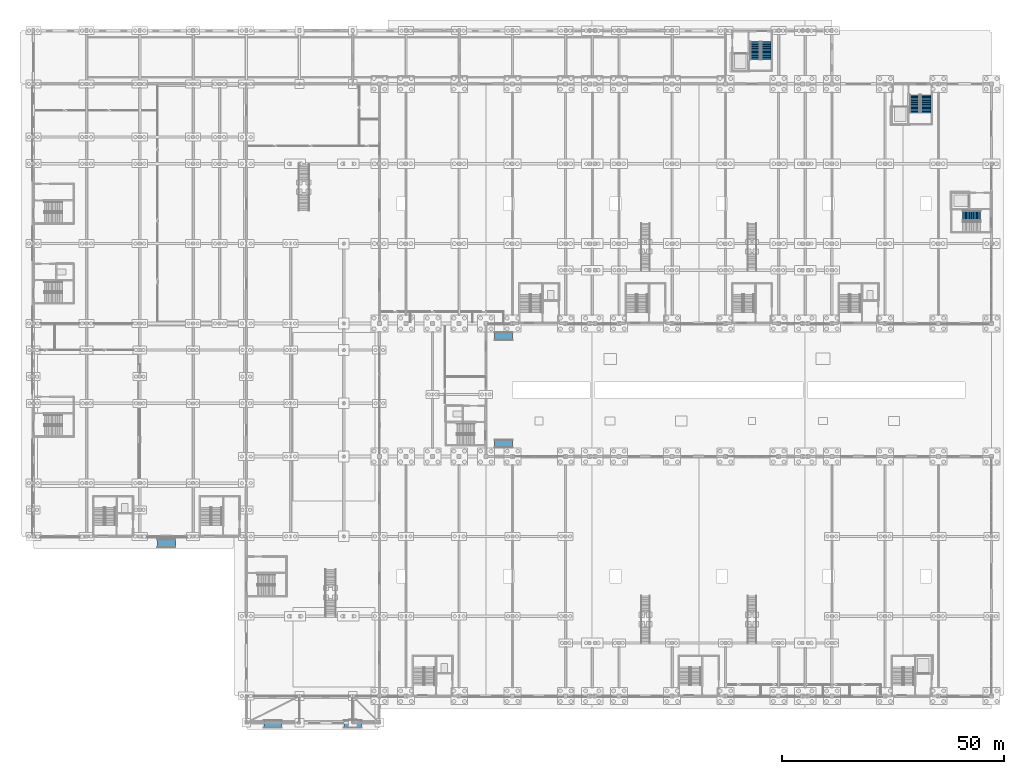
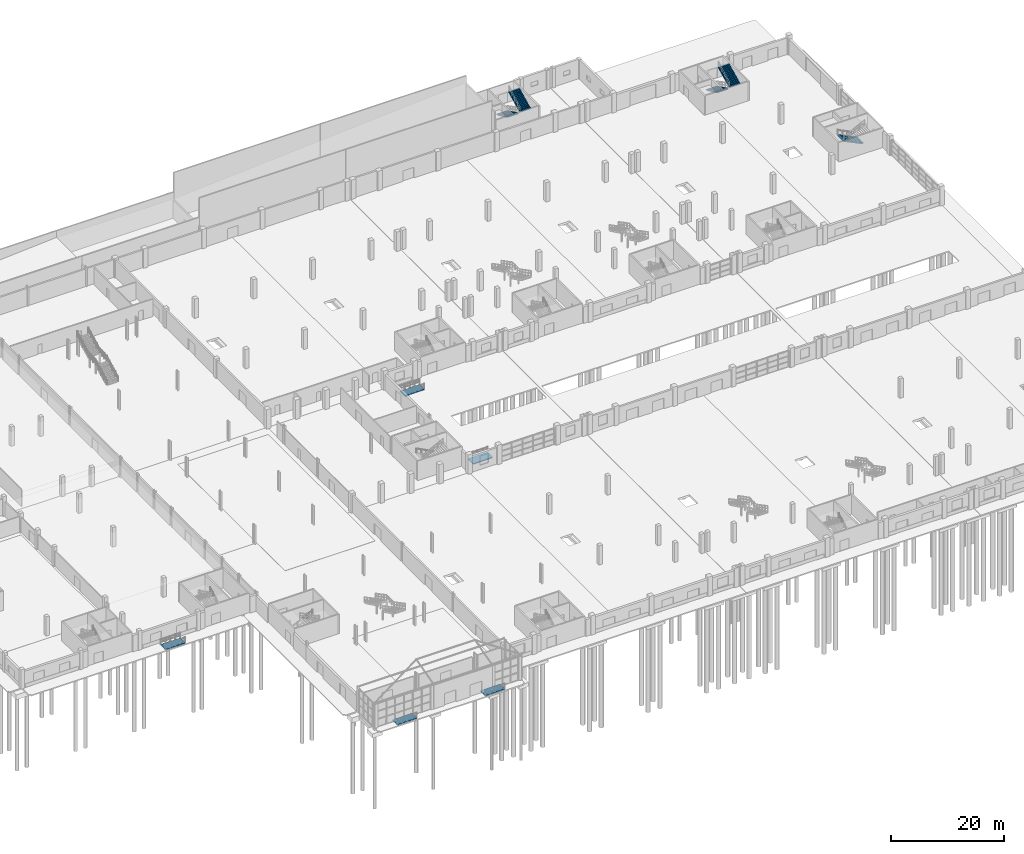
# One storey, part 69 of 77: 5 ramp flights, 5 stair flights, 8 elements without a shape of their own.
"""IFC4 building model written with IfcOpenShell, lengths in metres."""

import ifcopenshell
import ifcopenshell.guid

model = None  # the IFC model being written
_history = None  # IfcOwnerHistory: only IFC2X3 demands one
_inside = {}  # id of a spatial element -> (the spatial element, [elements in it])
_under = {}  # id of a project, library or spatial element -> (it, [spatial elements below it])
_declared = {}  # id of a project -> (the project, [libraries it declares])
_typed = {}  # id of a type object -> (the type object, [elements of that type])
_made_of = {}  # id of a material, layer set ... -> (it, [elements and type objects made of it])


def new_model(schema):
    """Start an empty IFC model of exactly this schema.

    Asked for "IFC4X3", IfcOpenShell would pick the latest addendum, in which some entities
    have other attributes; the version numbers below select the first issue.
    IFC2X3 requires an IfcOwnerHistory on every rooted entity: one is made here for all.
    """
    global model, _history
    if schema == "IFC4X3":
        model = ifcopenshell.file(schema_version=(4, 3, 0, 0))
    else:
        model = ifcopenshell.file(schema=schema)
    _inside.clear()
    _under.clear()
    _declared.clear()
    _typed.clear()
    _made_of.clear()
    _history = None
    if model.schema == "IFC2X3":
        org = make("IfcOrganization", Name="unknown")
        user = make(
            "IfcPersonAndOrganization",
            ThePerson=make("IfcPerson", FamilyName="unknown"),
            TheOrganization=org,
        )
        app = make(
            "IfcApplication",
            ApplicationDeveloper=org,
            Version="unknown",
            ApplicationFullName="unknown",
            ApplicationIdentifier="unknown",
        )
        _history = make(
            "IfcOwnerHistory",
            OwningUser=user,
            OwningApplication=app,
            ChangeAction="ADDED",
            CreationDate=0,
        )
    return model


def make(cls, **values):
    """One entity of the class cls with the attributes given. An attribute that is None is left unset."""
    return model.create_entity(
        cls, **{name: value for name, value in values.items() if value is not None}
    )


def rooted(cls, **values):
    """An entity with a GlobalId (a new one), such as an element, a storey or a relation."""
    return make(cls, GlobalId=ifcopenshell.guid.new(), OwnerHistory=_history, **values)


def si_unit(unit_type, name, prefix=None):
    """IfcSIUnit, for example si_unit("LENGTHUNIT", "METRE", prefix="MILLI")."""
    return make("IfcSIUnit", UnitType=unit_type, Prefix=prefix, Name=name)


def assignment(units):
    """IfcUnitAssignment: the units of a project."""
    return None if units is None else make("IfcUnitAssignment", Units=units)


def point(xyz):
    """IfcCartesianPoint."""
    return None if xyz is None else make("IfcCartesianPoint", Coordinates=xyz)


def direction(xyz):
    """IfcDirection."""
    return None if xyz is None else make("IfcDirection", DirectionRatios=xyz)


def frame(location, z_axis=None, x_axis=None):
    """IfcAxis2Placement3D, a coordinate frame: its origin and axes. An axis left out is left unset."""
    return make(
        "IfcAxis2Placement3D",
        Location=point(location),
        Axis=direction(z_axis),
        RefDirection=direction(x_axis),
    )


def origin():
    """The frame at (0, 0, 0) with its axes left unset."""
    return frame((0.0, 0.0, 0.0))


def place(relative_to, where):
    """IfcLocalPlacement: puts the frame where relative to a parent placement (None: the world)."""
    return make(
        "IfcLocalPlacement", PlacementRelTo=relative_to, RelativePlacement=where
    )


def context(
    kind, dimensions, precision=None, world=None, true_north=None, identifier=None
):
    """IfcGeometricRepresentationContext, for example the 3D "Model" context."""
    return make(
        "IfcGeometricRepresentationContext",
        ContextIdentifier=identifier,
        ContextType=kind,
        CoordinateSpaceDimension=dimensions,
        Precision=precision,
        WorldCoordinateSystem=world,
        TrueNorth=true_north,
    )


def subcontext(parent, identifier, kind, view, scale=None):
    """IfcGeometricRepresentationSubContext, for example "Body" below "Model"."""
    return make(
        "IfcGeometricRepresentationSubContext",
        ContextIdentifier=identifier,
        ContextType=kind,
        ParentContext=parent,
        TargetScale=scale,
        TargetView=view,
    )


def project(units=None, contexts=None):
    """IfcProject with its units and contexts."""
    return rooted(
        "IfcProject",
        Name="project",
        RepresentationContexts=contexts,
        UnitsInContext=assignment(units),
    )


def spatial(cls, under=None, at=None, **own):
    """A site, building, storey or space (cls), placed at a placement, below another one or the project."""
    s = rooted(cls, ObjectPlacement=at, **own)
    if under is not None:
        _under.setdefault(under.id(), (under, []))[1].append(s)
    return s


def polyline(points):
    """IfcPolyline through the points."""
    return make("IfcPolyline", Points=[point(p) for p in points])


def outline(outer, holes=None, kind="AREA"):
    """IfcArbitraryClosedProfileDef: a profile drawn as a closed curve; with holes, ...WithVoids."""
    if holes is None:
        return make("IfcArbitraryClosedProfileDef", ProfileType=kind, OuterCurve=outer)
    return make(
        "IfcArbitraryProfileDefWithVoids",
        ProfileType=kind,
        OuterCurve=outer,
        InnerCurves=holes,
    )


def extrude(swept, where, along, depth):
    """IfcExtrudedAreaSolid: the profile swept, set in the frame where, extruded along a direction by depth."""
    return make(
        "IfcExtrudedAreaSolid",
        SweptArea=swept,
        Position=where,
        ExtrudedDirection=direction(along),
        Depth=depth,
    )


def shape(context_of_items, identifier, shape_type, items):
    """IfcShapeRepresentation: the items that make up one representation, for example the "Body"."""
    return make(
        "IfcShapeRepresentation",
        ContextOfItems=context_of_items,
        RepresentationIdentifier=identifier,
        RepresentationType=shape_type,
        Items=items,
    )


def material(Name=None, Category=None):
    """IfcMaterial."""
    return make("IfcMaterial", Name=Name, Category=Category)


def layer(
    of_material, thickness, ventilated=None, Name=None, Category=None, Priority=None
):
    """IfcMaterialLayer: one layer of a wall or slab, of a material (None: an air gap)."""
    return make(
        "IfcMaterialLayer",
        Material=of_material,
        LayerThickness=thickness,
        IsVentilated=ventilated,
        Name=Name,
        Category=Category,
        Priority=Priority,
    )


def layer_set(layers, Name=None):
    """IfcMaterialLayerSet."""
    return make("IfcMaterialLayerSet", MaterialLayers=layers, LayerSetName=Name)


def made_of(thing, what):
    """Note that an element or type object is made of a material, layer set ...; save() writes the relation."""
    if what is not None:
        _made_of.setdefault(what.id(), (what, []))[1].append(thing)
    return thing


def type_object(cls, material=None, **own):
    """A type object (cls), such as IfcWallType, which elements share."""
    return made_of(rooted(cls, **own), material)


def element(
    cls,
    number,
    at=None,
    inside=None,
    cuts=None,
    type_object=None,
    material=None,
    context=None,
    identifier="Body",
    shape_type=None,
    held_by="IfcProductDefinitionShape",
    body=None,
    shapes=None,
    **own,
):
    """One element of the class cls, such as IfcWall. Its Tag is "e" and its number.

    at: its placement. inside: the storey or other place that contains it. cuts: it is an
    opening in that element (IfcRelVoidsElement). A single representation is given by context,
    identifier, shape_type and body (its items); several are given by shapes. held_by: the class
    of the entity that holds the representations. save() writes the other relations.
    """
    e = rooted(cls, Tag="e%d" % number, ObjectPlacement=at, **own)
    if body is not None:
        shapes = [shape(context, identifier, shape_type, body)]
    if shapes is not None:
        e.Representation = make(held_by, Representations=shapes)
    if inside is not None:
        _inside.setdefault(inside.id(), (inside, []))[1].append(e)
    if cuts is not None:
        rooted(
            "IfcRelVoidsElement", RelatingBuildingElement=cuts, RelatedOpeningElement=e
        )
    if type_object is not None:
        _typed.setdefault(type_object.id(), (type_object, []))[1].append(e)
    return made_of(e, material)


def aggregate(whole, parts):
    """IfcRelAggregates: a whole, such as a stair, and the parts it consists of."""
    return rooted("IfcRelAggregates", RelatingObject=whole, RelatedObjects=parts)


def save(model, path):
    """Write the relations noted so far, then the file.

    IfcRelAggregates (storeys below a building ...), IfcRelContainedInSpatialStructure (elements
    in a storey), IfcRelDefinesByType, IfcRelAssociatesMaterial and IfcRelDeclares: one each for
    every whole, place, type object, material and project.
    """
    for whole, parts in _under.values():
        aggregate(whole, parts)
    for where, things in _inside.values():
        rooted(
            "IfcRelContainedInSpatialStructure",
            RelatedElements=things,
            RelatingStructure=where,
        )
    for kind, things in _typed.values():
        rooted("IfcRelDefinesByType", RelatedObjects=things, RelatingType=kind)
    for what, things in _made_of.values():
        rooted("IfcRelAssociatesMaterial", RelatedObjects=things, RelatingMaterial=what)
    for by, libraries in _declared.values():
        rooted("IfcRelDeclares", RelatingContext=by, RelatedDefinitions=libraries)
    model.write(path)


model = new_model("IFC4")

# Units and contexts
model_context = context("Model", 3, precision=1e-05, world=origin(), true_north=direction((0.0, 1.0)))
body_context = subcontext(model_context, "Body", "Model", "MODEL_VIEW")
ifc_project = project(units=[si_unit("LENGTHUNIT", "METRE"), si_unit("AREAUNIT", "SQUARE_METRE"), si_unit("VOLUMEUNIT", "CUBIC_METRE"), si_unit("PLANEANGLEUNIT", "RADIAN"), si_unit("MASSUNIT", "GRAM", prefix="KILO")], contexts=[model_context])

# Site, building, storey
site_placement = place(None, origin())
site = spatial("IfcSite", under=ifc_project, at=site_placement, CompositionType="ELEMENT")
building_placement = place(site_placement, origin())
building = spatial("IfcBuilding", under=site, at=building_placement, Name="Zilviju Railside Exhibition Hall", CompositionType="ELEMENT")
storey_placement = place(building_placement, origin())
storey = spatial("IfcBuildingStorey", under=building, at=storey_placement, Name="L01", CompositionType="ELEMENT", Elevation=0.0)

# Stair, stair flights
ifc_material = material(Name="Concrete C35/45", Category="concrete")
stair_type_1 = type_object("IfcStairType", Name="STAIR-ST-B", PredefinedType="HALF_TURN_STAIR", material=ifc_material)
stair_1_placement = place(storey_placement, origin())
stair_1 = element("IfcStair", 1, at=stair_1_placement, inside=storey, type_object=stair_type_1, Name="Core C08 North Hall Rail East Exit Stair L01", PredefinedType="HALF_TURN_STAIR")
stair_flight_type_1 = type_object("IfcStairFlightType", Name="FLIGHT-ST-B", PredefinedType="STRAIGHT", material=ifc_material)
stair_flight_1_placement = place(storey_placement, frame((198.699951171875, 135.5, 0.0), z_axis=(0.0, 0.0, 1.0), x_axis=(0.0, -1.0, 0.0)))
stair_flight_1 = element("IfcStairFlight", 2, at=stair_flight_1_placement, type_object=stair_flight_type_1, Name="ST-08 flight 1", NumberOfRisers=14, NumberOfTreads=13, PredefinedType="STRAIGHT", RiserHeight=0.15, TreadLength=0.31, context=body_context, shape_type="SweptSolid", body=[
    extrude(outline(polyline([(0.0, 0.0), (0.0, 0.14990234375), (0.31005859375, 0.14990234375), (0.31005859375, 0.300048828125), (0.6201171875, 0.300048828125), (0.6201171875, 0.449951171875), (0.929931640625, 0.449951171875), (0.929931640625, 0.60009765625), (1.239990234375, 0.60009765625), (1.239990234375, 0.75), (1.550048828125, 0.75), (1.550048828125, 0.89990234375), (1.860107421875, 0.89990234375), (1.860107421875, 1.050048828125), (2.169921875, 1.050048828125), (2.169921875, 1.199951171875), (2.47998046875, 1.199951171875), (2.47998046875, 1.35009765625), (2.7900390625, 1.35009765625), (2.7900390625, 1.5), (3.10009765625, 1.5), (3.10009765625, 1.64990234375), (3.409912109375, 1.64990234375), (3.409912109375, 1.800048828125), (3.719970703125, 1.800048828125), (3.719970703125, 1.949951171875), (4.030029296875, 1.949951171875), (4.030029296875, 2.10009765625), (4.030029296875, 1.75), (0.4130859375, 0.0), (0.0, 0.0)])), frame((0.0, 1.10986328125, 0.0), z_axis=(0.0, -1.0, 0.0), x_axis=(1.0, 0.0, 0.0)), (0.0, 0.0, 1.0), 2.219970703125),
])
stair_flight_2_placement = place(storey_placement, frame((201.199951171875, 131.469970703125, 2.10009765625), z_axis=(0.0, 0.0, 1.0), x_axis=(0.0, 1.0, 0.0)))
stair_flight_2 = element("IfcStairFlight", 3, at=stair_flight_2_placement, type_object=stair_flight_type_1, Name="ST-08 flight 2", NumberOfRisers=14, NumberOfTreads=13, PredefinedType="STRAIGHT", RiserHeight=0.15, TreadLength=0.31, context=body_context, shape_type="SweptSolid", body=[
    extrude(outline(polyline([(0.0, 0.0), (0.0, 0.14990234375), (0.31005859375, 0.14990234375), (0.31005859375, 0.300048828125), (0.6201171875, 0.300048828125), (0.6201171875, 0.449951171875), (0.929931640625, 0.449951171875), (0.929931640625, 0.60009765625), (1.239990234375, 0.60009765625), (1.239990234375, 0.75), (1.550048828125, 0.75), (1.550048828125, 0.89990234375), (1.860107421875, 0.89990234375), (1.860107421875, 1.050048828125), (2.169921875, 1.050048828125), (2.169921875, 1.199951171875), (2.47998046875, 1.199951171875), (2.47998046875, 1.35009765625), (2.7900390625, 1.35009765625), (2.7900390625, 1.5), (3.10009765625, 1.5), (3.10009765625, 1.64990234375), (3.409912109375, 1.64990234375), (3.409912109375, 1.800048828125), (3.719970703125, 1.800048828125), (3.719970703125, 1.949951171875), (4.030029296875, 1.949951171875), (4.030029296875, 2.10009765625), (4.030029296875, 1.75), (0.4130859375, 0.0), (0.0, 0.0)])), frame((0.0, 1.10986328125, 0.0), z_axis=(0.0, -1.0, 0.0), x_axis=(1.0, 0.0, 0.0)), (0.0, 0.0, 1.0), 2.219970703125),
])
aggregate(stair_1, [stair_flight_1, stair_flight_2])

stair_2_placement = place(storey_placement, origin())
stair_2 = element("IfcStair", 4, at=stair_2_placement, inside=storey, type_object=stair_type_1, Name="Core C17 Logistics Wing East Exit Stair L01", PredefinedType="HALF_TURN_STAIR")
stair_flight_3_placement = place(storey_placement, frame((162.699951171875, 147.5, 0.0), z_axis=(0.0, 0.0, 1.0), x_axis=(0.0, -1.0, 0.0)))
stair_flight_3 = element("IfcStairFlight", 5, at=stair_flight_3_placement, type_object=stair_flight_type_1, Name="ST-17 flight 1", NumberOfRisers=14, NumberOfTreads=13, PredefinedType="STRAIGHT", RiserHeight=0.15, TreadLength=0.31, context=body_context, shape_type="SweptSolid", body=[
    extrude(outline(polyline([(0.0, 0.0), (0.0, 0.14990234375), (0.31005859375, 0.14990234375), (0.31005859375, 0.300048828125), (0.6201171875, 0.300048828125), (0.6201171875, 0.449951171875), (0.929931640625, 0.449951171875), (0.929931640625, 0.60009765625), (1.239990234375, 0.60009765625), (1.239990234375, 0.75), (1.550048828125, 0.75), (1.550048828125, 0.89990234375), (1.860107421875, 0.89990234375), (1.860107421875, 1.050048828125), (2.169921875, 1.050048828125), (2.169921875, 1.199951171875), (2.47998046875, 1.199951171875), (2.47998046875, 1.35009765625), (2.7900390625, 1.35009765625), (2.7900390625, 1.5), (3.10009765625, 1.5), (3.10009765625, 1.64990234375), (3.409912109375, 1.64990234375), (3.409912109375, 1.800048828125), (3.719970703125, 1.800048828125), (3.719970703125, 1.949951171875), (4.030029296875, 1.949951171875), (4.030029296875, 2.10009765625), (4.030029296875, 1.75), (0.4130859375, 0.0), (0.0, 0.0)])), frame((0.0, 1.10986328125, 0.0), z_axis=(0.0, -1.0, 0.0), x_axis=(1.0, 0.0, 0.0)), (0.0, 0.0, 1.0), 2.219970703125),
])
stair_flight_4_placement = place(storey_placement, frame((165.199951171875, 143.469970703125, 2.10009765625), z_axis=(0.0, 0.0, 1.0), x_axis=(0.0, 1.0, 0.0)))
stair_flight_4 = element("IfcStairFlight", 6, at=stair_flight_4_placement, type_object=stair_flight_type_1, Name="ST-17 flight 2", NumberOfRisers=14, NumberOfTreads=13, PredefinedType="STRAIGHT", RiserHeight=0.15, TreadLength=0.31, context=body_context, shape_type="SweptSolid", body=[
    extrude(outline(polyline([(0.0, 0.0), (0.0, 0.14990234375), (0.31005859375, 0.14990234375), (0.31005859375, 0.300048828125), (0.6201171875, 0.300048828125), (0.6201171875, 0.449951171875), (0.929931640625, 0.449951171875), (0.929931640625, 0.60009765625), (1.239990234375, 0.60009765625), (1.239990234375, 0.75), (1.550048828125, 0.75), (1.550048828125, 0.89990234375), (1.860107421875, 0.89990234375), (1.860107421875, 1.050048828125), (2.169921875, 1.050048828125), (2.169921875, 1.199951171875), (2.47998046875, 1.199951171875), (2.47998046875, 1.35009765625), (2.7900390625, 1.35009765625), (2.7900390625, 1.5), (3.10009765625, 1.5), (3.10009765625, 1.64990234375), (3.409912109375, 1.64990234375), (3.409912109375, 1.800048828125), (3.719970703125, 1.800048828125), (3.719970703125, 1.949951171875), (4.030029296875, 1.949951171875), (4.030029296875, 2.10009765625), (4.030029296875, 1.75), (0.4130859375, 0.0), (0.0, 0.0)])), frame((0.0, 1.10986328125, 0.0), z_axis=(0.0, -1.0, 0.0), x_axis=(1.0, 0.0, 0.0)), (0.0, 0.0, 1.0), 2.219970703125),
])
aggregate(stair_2, [stair_flight_3, stair_flight_4])

# Stair, stair flight
stair_type_2 = type_object("IfcStairType", Name="STAIR-ST-C", PredefinedType="HALF_TURN_STAIR", material=ifc_material)
stair_3_placement = place(storey_placement, origin())
stair_3 = element("IfcStair", 7, at=stair_3_placement, inside=storey, type_object=stair_type_2, Name="Core C09 North Hall Gable East Exit Stair L01", PredefinedType="HALF_TURN_STAIR")
stair_flight_type_2 = type_object("IfcStairFlightType", Name="FLIGHT-ST-C", PredefinedType="STRAIGHT", material=ifc_material)
stair_flight_5_placement = place(storey_placement, frame((213.5, 108.300048828125, 0.0), z_axis=(0.0, 0.0, 1.0), x_axis=(-1.0, 0.0, 0.0)))
stair_flight_5 = element("IfcStairFlight", 8, at=stair_flight_5_placement, type_object=stair_flight_type_2, Name="ST-09 flight 1", NumberOfRisers=14, NumberOfTreads=13, PredefinedType="STRAIGHT", RiserHeight=0.15, TreadLength=0.31, context=body_context, shape_type="SweptSolid", body=[
    extrude(outline(polyline([(0.0, 0.0), (0.0, 0.14990234375), (0.31005859375, 0.14990234375), (0.31005859375, 0.300048828125), (0.6201171875, 0.300048828125), (0.6201171875, 0.449951171875), (0.929931640625, 0.449951171875), (0.929931640625, 0.60009765625), (1.239990234375, 0.60009765625), (1.239990234375, 0.75), (1.550048828125, 0.75), (1.550048828125, 0.89990234375), (1.860107421875, 0.89990234375), (1.860107421875, 1.050048828125), (2.169921875, 1.050048828125), (2.169921875, 1.199951171875), (2.47998046875, 1.199951171875), (2.47998046875, 1.35009765625), (2.7900390625, 1.35009765625), (2.7900390625, 1.5), (3.10009765625, 1.5), (3.10009765625, 1.64990234375), (3.409912109375, 1.64990234375), (3.409912109375, 1.800048828125), (3.719970703125, 1.800048828125), (3.719970703125, 1.949951171875), (4.030029296875, 1.949951171875), (4.030029296875, 2.10009765625), (4.030029296875, 1.75), (0.4130859375, 0.0), (0.0, 0.0)])), frame((0.0, 1.10009765625, 0.0), z_axis=(0.0, -1.0, 0.0), x_axis=(1.0, 0.0, 0.0)), (0.0, 0.0, 1.0), 2.199951171875),
])
aggregate(stair_3, [stair_flight_5])

# Ramp, ramp flight
ramp_type = type_object("IfcRampType", Name="RAMP-PED-180", PredefinedType="STRAIGHT_RUN_RAMP", material=ifc_material)
ramp_1_placement = place(storey_placement, origin())
ramp_1 = element("IfcRamp", 9, at=ramp_1_placement, inside=storey, type_object=ramp_type, Name="Porch West Accessible Approach Ramp", PredefinedType="STRAIGHT_RUN_RAMP")
ifc_layer = layer(ifc_material, 0.199951171875)
ifc_layer_set = layer_set([ifc_layer], Name="Concrete C35/45")
ramp_flight_type = type_object("IfcRampFlightType", Name="RFLIGHT-PED-180", PredefinedType="STRAIGHT", material=ifc_layer_set)
ramp_flight_1_placement = place(storey_placement, frame((52.0, -6.300048828125, 0.0), z_axis=(0.0, 0.0, 1.0), x_axis=(1.0, 0.0, 0.0)))
ramp_flight_1 = element("IfcRampFlight", 10, at=ramp_flight_1_placement, type_object=ramp_flight_type, Name="Porch West Accessible Approach Ramp Flight", PredefinedType="STRAIGHT", context=body_context, shape_type="SweptSolid", body=[
    extrude(outline(polyline([(0.0, -0.199951171875), (0.0, 0.0), (4.0, 0.06005859375), (4.0, -0.139892578125), (3.699951171875, -0.139892578125), (0.300048828125, -0.199951171875), (0.0, -0.199951171875)])), frame((0.0, 0.89990234375, 0.0), z_axis=(0.0, -1.0, 0.0), x_axis=(1.0, 0.0, 0.0)), (0.0, 0.0, 1.0), 1.800048828125),
])
aggregate(ramp_1, [ramp_flight_1])

ramp_2_placement = place(storey_placement, origin())
ramp_2 = element("IfcRamp", 11, at=ramp_2_placement, inside=storey, type_object=ramp_type, Name="Porch East Accessible Approach Ramp", PredefinedType="STRAIGHT_RUN_RAMP")
ramp_flight_2_placement = place(storey_placement, frame((70.0, -6.300048828125, 0.0), z_axis=(0.0, 0.0, 1.0), x_axis=(1.0, 0.0, 0.0)))
ramp_flight_2 = element("IfcRampFlight", 12, at=ramp_flight_2_placement, type_object=ramp_flight_type, Name="Porch East Accessible Approach Ramp Flight", PredefinedType="STRAIGHT", context=body_context, shape_type="SweptSolid", body=[
    extrude(outline(polyline([(0.0, -0.199951171875), (0.0, 0.0), (4.0, 0.06005859375), (4.0, -0.139892578125), (3.699951171875, -0.139892578125), (0.300048828125, -0.199951171875), (0.0, -0.199951171875)])), frame((0.0, 0.89990234375, 0.0), z_axis=(0.0, -1.0, 0.0), x_axis=(1.0, 0.0, 0.0)), (0.0, 0.0, 1.0), 1.800048828125),
])
aggregate(ramp_2, [ramp_flight_2])

ramp_3_placement = place(storey_placement, origin())
ramp_3 = element("IfcRamp", 13, at=ramp_3_placement, inside=storey, type_object=ramp_type, Name="Garden Court South Accessible Ramp", PredefinedType="STRAIGHT_RUN_RAMP")
ramp_flight_3_placement = place(storey_placement, frame((104.0, 56.89990234375, 0.0), z_axis=(0.0, 0.0, 1.0), x_axis=(1.0, 0.0, 0.0)))
ramp_flight_3 = element("IfcRampFlight", 14, at=ramp_flight_3_placement, type_object=ramp_flight_type, Name="Garden Court South Accessible Ramp Flight", PredefinedType="STRAIGHT", context=body_context, shape_type="SweptSolid", body=[
    extrude(outline(polyline([(0.0, -0.199951171875), (0.0, 0.0), (4.0, 0.06005859375), (4.0, -0.139892578125), (3.699951171875, -0.139892578125), (0.300048828125, -0.199951171875), (0.0, -0.199951171875)])), frame((0.0, 0.89990234375, 0.0), z_axis=(0.0, -1.0, 0.0), x_axis=(1.0, 0.0, 0.0)), (0.0, 0.0, 1.0), 1.800048828125),
])
aggregate(ramp_3, [ramp_flight_3])

ramp_4_placement = place(storey_placement, origin())
ramp_4 = element("IfcRamp", 15, at=ramp_4_placement, inside=storey, type_object=ramp_type, Name="Garden Court North Accessible Ramp", PredefinedType="STRAIGHT_RUN_RAMP")
ramp_flight_4_placement = place(storey_placement, frame((104.0, 81.10009765625, 0.0), z_axis=(0.0, 0.0, 1.0), x_axis=(1.0, 0.0, 0.0)))
ramp_flight_4 = element("IfcRampFlight", 16, at=ramp_flight_4_placement, type_object=ramp_flight_type, Name="Garden Court North Accessible Ramp Flight", PredefinedType="STRAIGHT", context=body_context, shape_type="SweptSolid", body=[
    extrude(outline(polyline([(0.0, -0.199951171875), (0.0, 0.0), (4.0, 0.06005859375), (4.0, -0.139892578125), (3.699951171875, -0.139892578125), (0.300048828125, -0.199951171875), (0.0, -0.199951171875)])), frame((0.0, 0.89990234375, 0.0), z_axis=(0.0, -1.0, 0.0), x_axis=(1.0, 0.0, 0.0)), (0.0, 0.0, 1.0), 1.800048828125),
])
aggregate(ramp_4, [ramp_flight_4])

ramp_5_placement = place(storey_placement, origin())
ramp_5 = element("IfcRamp", 17, at=ramp_5_placement, inside=storey, type_object=ramp_type, Name="Congress Forecourt Accessible Ramp", PredefinedType="STRAIGHT_RUN_RAMP")
ramp_flight_5_placement = place(storey_placement, frame((28.0, 34.39990234375, 0.0), z_axis=(0.0, 0.0, 1.0), x_axis=(1.0, 0.0, 0.0)))
ramp_flight_5 = element("IfcRampFlight", 18, at=ramp_flight_5_placement, type_object=ramp_flight_type, Name="Congress Forecourt Accessible Ramp Flight", PredefinedType="STRAIGHT", context=body_context, shape_type="SweptSolid", body=[
    extrude(outline(polyline([(0.0, -0.199951171875), (0.0, 0.0), (4.0, 0.06005859375), (4.0, -0.139892578125), (3.699951171875, -0.139892578125), (0.300048828125, -0.199951171875), (0.0, -0.199951171875)])), frame((0.0, 0.89990234375, 0.0), z_axis=(0.0, -1.0, 0.0), x_axis=(1.0, 0.0, 0.0)), (0.0, 0.0, 1.0), 1.800048828125),
])
aggregate(ramp_5, [ramp_flight_5])

save(model, "model.ifc")
